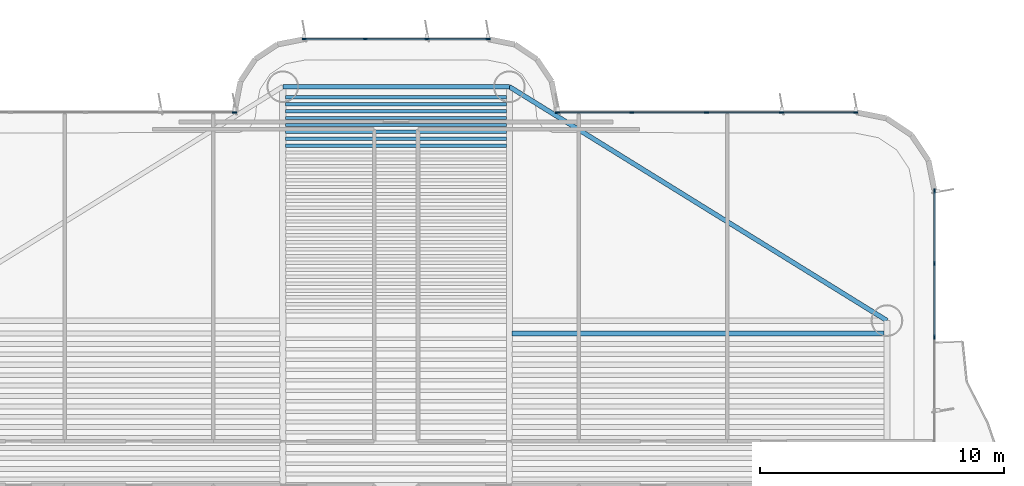
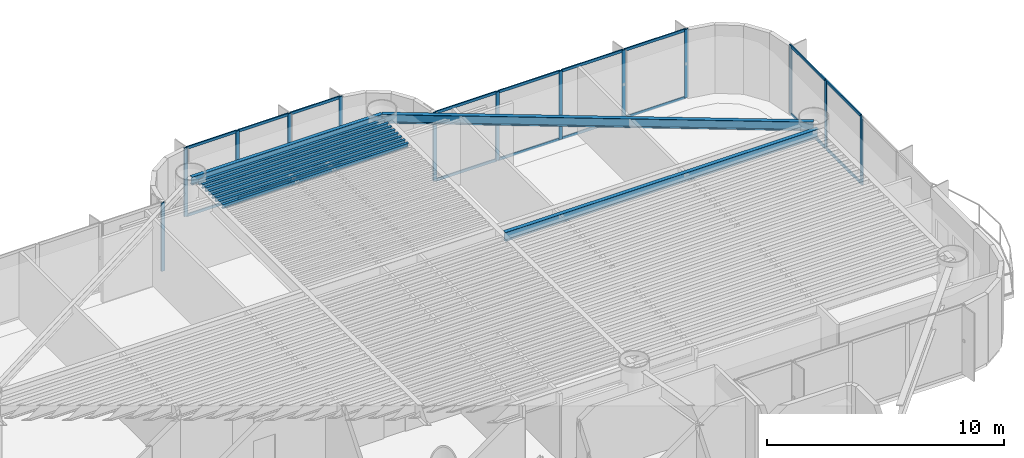
# One storey, part 7 of 16: 31 members, 11 beams, 4 elements without a shape of their own.
"""IFC4 building model written with IfcOpenShell, lengths in metres."""

import ifcopenshell
import ifcopenshell.guid

model = None  # the IFC model being written
_history = None  # IfcOwnerHistory: only IFC2X3 demands one
_inside = {}  # id of a spatial element -> (the spatial element, [elements in it])
_under = {}  # id of a project, library or spatial element -> (it, [spatial elements below it])
_declared = {}  # id of a project -> (the project, [libraries it declares])
_typed = {}  # id of a type object -> (the type object, [elements of that type])
_made_of = {}  # id of a material, layer set ... -> (it, [elements and type objects made of it])


def new_model(schema):
    """Start an empty IFC model of exactly this schema.

    Asked for "IFC4X3", IfcOpenShell would pick the latest addendum, in which some entities
    have other attributes; the version numbers below select the first issue.
    IFC2X3 requires an IfcOwnerHistory on every rooted entity: one is made here for all.
    """
    global model, _history
    if schema == "IFC4X3":
        model = ifcopenshell.file(schema_version=(4, 3, 0, 0))
    else:
        model = ifcopenshell.file(schema=schema)
    _inside.clear()
    _under.clear()
    _declared.clear()
    _typed.clear()
    _made_of.clear()
    _history = None
    if model.schema == "IFC2X3":
        org = make("IfcOrganization", Name="unknown")
        user = make(
            "IfcPersonAndOrganization",
            ThePerson=make("IfcPerson", FamilyName="unknown"),
            TheOrganization=org,
        )
        app = make(
            "IfcApplication",
            ApplicationDeveloper=org,
            Version="unknown",
            ApplicationFullName="unknown",
            ApplicationIdentifier="unknown",
        )
        _history = make(
            "IfcOwnerHistory",
            OwningUser=user,
            OwningApplication=app,
            ChangeAction="ADDED",
            CreationDate=0,
        )
    return model


def make(cls, **values):
    """One entity of the class cls with the attributes given. An attribute that is None is left unset."""
    return model.create_entity(
        cls, **{name: value for name, value in values.items() if value is not None}
    )


def rooted(cls, **values):
    """An entity with a GlobalId (a new one), such as an element, a storey or a relation."""
    return make(cls, GlobalId=ifcopenshell.guid.new(), OwnerHistory=_history, **values)


def si_unit(unit_type, name, prefix=None):
    """IfcSIUnit, for example si_unit("LENGTHUNIT", "METRE", prefix="MILLI")."""
    return make("IfcSIUnit", UnitType=unit_type, Prefix=prefix, Name=name)


def assignment(units):
    """IfcUnitAssignment: the units of a project."""
    return None if units is None else make("IfcUnitAssignment", Units=units)


def point(xyz):
    """IfcCartesianPoint."""
    return None if xyz is None else make("IfcCartesianPoint", Coordinates=xyz)


def direction(xyz):
    """IfcDirection."""
    return None if xyz is None else make("IfcDirection", DirectionRatios=xyz)


def frame(location, z_axis=None, x_axis=None):
    """IfcAxis2Placement3D, a coordinate frame: its origin and axes. An axis left out is left unset."""
    return make(
        "IfcAxis2Placement3D",
        Location=point(location),
        Axis=direction(z_axis),
        RefDirection=direction(x_axis),
    )


def frame_2d(location, x_axis=None):
    """IfcAxis2Placement2D, a coordinate frame in the plane: its origin and x axis."""
    return make(
        "IfcAxis2Placement2D", Location=point(location), RefDirection=direction(x_axis)
    )


def origin():
    """The frame at (0, 0, 0) with its axes left unset."""
    return frame((0.0, 0.0, 0.0))


def origin_2d():
    """The frame at (0, 0) in the plane with its x axis left unset."""
    return frame_2d((0.0, 0.0))


def place(relative_to, where):
    """IfcLocalPlacement: puts the frame where relative to a parent placement (None: the world)."""
    return make(
        "IfcLocalPlacement", PlacementRelTo=relative_to, RelativePlacement=where
    )


def context(
    kind, dimensions, precision=None, world=None, true_north=None, identifier=None
):
    """IfcGeometricRepresentationContext, for example the 3D "Model" context."""
    return make(
        "IfcGeometricRepresentationContext",
        ContextIdentifier=identifier,
        ContextType=kind,
        CoordinateSpaceDimension=dimensions,
        Precision=precision,
        WorldCoordinateSystem=world,
        TrueNorth=true_north,
    )


def subcontext(parent, identifier, kind, view, scale=None):
    """IfcGeometricRepresentationSubContext, for example "Body" below "Model"."""
    return make(
        "IfcGeometricRepresentationSubContext",
        ContextIdentifier=identifier,
        ContextType=kind,
        ParentContext=parent,
        TargetScale=scale,
        TargetView=view,
    )


def project(units=None, contexts=None):
    """IfcProject with its units and contexts."""
    return rooted(
        "IfcProject",
        Name="project",
        RepresentationContexts=contexts,
        UnitsInContext=assignment(units),
    )


def spatial(cls, under=None, at=None, **own):
    """A site, building, storey or space (cls), placed at a placement, below another one or the project."""
    s = rooted(cls, ObjectPlacement=at, **own)
    if under is not None:
        _under.setdefault(under.id(), (under, []))[1].append(s)
    return s


def profile(cls, at=None, kind="AREA", **sizes):
    """A parametric profile (cls). Its sizes go by their IFC names, for example OverallWidth=200.0."""
    return make(cls, ProfileType=kind, Position=at, **sizes)


def rectangle(**sizes):
    """IfcRectangleProfileDef."""
    return profile("IfcRectangleProfileDef", **sizes)


def i_section(**sizes):
    """IfcIShapeProfileDef."""
    return profile("IfcIShapeProfileDef", **sizes)


def extrude(swept, where, along, depth):
    """IfcExtrudedAreaSolid: the profile swept, set in the frame where, extruded along a direction by depth."""
    return make(
        "IfcExtrudedAreaSolid",
        SweptArea=swept,
        Position=where,
        ExtrudedDirection=direction(along),
        Depth=depth,
    )


def shape(context_of_items, identifier, shape_type, items):
    """IfcShapeRepresentation: the items that make up one representation, for example the "Body"."""
    return make(
        "IfcShapeRepresentation",
        ContextOfItems=context_of_items,
        RepresentationIdentifier=identifier,
        RepresentationType=shape_type,
        Items=items,
    )


def source(mapping_origin, context_of_items, identifier, shape_type, items):
    """IfcRepresentationMap: a shape defined once, which mapped items show again and again."""
    return make(
        "IfcRepresentationMap",
        MappingOrigin=mapping_origin,
        MappedRepresentation=shape(context_of_items, identifier, shape_type, items),
    )


def transform(
    local_origin,
    x_axis=None,
    y_axis=None,
    z_axis=None,
    scale=None,
    scale2=None,
    scale3=None,
    uniform=True,
):
    """IfcCartesianTransformationOperator3D, or its non-uniform kind. x_axis, y_axis, z_axis: its Axis1, 2, 3."""
    if uniform:
        return make(
            "IfcCartesianTransformationOperator3D",
            Axis1=direction(x_axis),
            Axis2=direction(y_axis),
            LocalOrigin=point(local_origin),
            Scale=scale,
            Axis3=direction(z_axis),
        )
    return make(
        "IfcCartesianTransformationOperator3DnonUniform",
        Axis1=direction(x_axis),
        Axis2=direction(y_axis),
        LocalOrigin=point(local_origin),
        Scale=scale,
        Axis3=direction(z_axis),
        Scale2=scale2,
        Scale3=scale3,
    )


def mapped(mapping_source, mapping_target):
    """IfcMappedItem: shows the shape of a source again, moved by a transform."""
    return make(
        "IfcMappedItem", MappingSource=mapping_source, MappingTarget=mapping_target
    )


def material(Name=None, Category=None):
    """IfcMaterial."""
    return make("IfcMaterial", Name=Name, Category=Category)


def layer(
    of_material, thickness, ventilated=None, Name=None, Category=None, Priority=None
):
    """IfcMaterialLayer: one layer of a wall or slab, of a material (None: an air gap)."""
    return make(
        "IfcMaterialLayer",
        Material=of_material,
        LayerThickness=thickness,
        IsVentilated=ventilated,
        Name=Name,
        Category=Category,
        Priority=Priority,
    )


def layer_set(layers, Name=None):
    """IfcMaterialLayerSet."""
    return make("IfcMaterialLayerSet", MaterialLayers=layers, LayerSetName=Name)


def material_profile(
    of_material, cross_section, Name=None, Category=None, Priority=None
):
    """IfcMaterialProfile: a cross section and its material."""
    return make(
        "IfcMaterialProfile",
        Name=Name,
        Material=of_material,
        Profile=cross_section,
        Priority=Priority,
        Category=Category,
    )


def profile_set(profiles, Name=None, composite=None):
    """IfcMaterialProfileSet."""
    return make(
        "IfcMaterialProfileSet",
        Name=Name,
        MaterialProfiles=profiles,
        CompositeProfile=composite,
    )


def made_of(thing, what):
    """Note that an element or type object is made of a material, layer set ...; save() writes the relation."""
    if what is not None:
        _made_of.setdefault(what.id(), (what, []))[1].append(thing)
    return thing


def type_object(cls, material=None, **own):
    """A type object (cls), such as IfcWallType, which elements share."""
    return made_of(rooted(cls, **own), material)


def element(
    cls,
    number,
    at=None,
    inside=None,
    cuts=None,
    type_object=None,
    material=None,
    context=None,
    identifier="Body",
    shape_type=None,
    held_by="IfcProductDefinitionShape",
    body=None,
    shapes=None,
    **own,
):
    """One element of the class cls, such as IfcWall. Its Tag is "e" and its number.

    at: its placement. inside: the storey or other place that contains it. cuts: it is an
    opening in that element (IfcRelVoidsElement). A single representation is given by context,
    identifier, shape_type and body (its items); several are given by shapes. held_by: the class
    of the entity that holds the representations. save() writes the other relations.
    """
    e = rooted(cls, Tag="e%d" % number, ObjectPlacement=at, **own)
    if body is not None:
        shapes = [shape(context, identifier, shape_type, body)]
    if shapes is not None:
        e.Representation = make(held_by, Representations=shapes)
    if inside is not None:
        _inside.setdefault(inside.id(), (inside, []))[1].append(e)
    if cuts is not None:
        rooted(
            "IfcRelVoidsElement", RelatingBuildingElement=cuts, RelatedOpeningElement=e
        )
    if type_object is not None:
        _typed.setdefault(type_object.id(), (type_object, []))[1].append(e)
    return made_of(e, material)


def aggregate(whole, parts):
    """IfcRelAggregates: a whole, such as a stair, and the parts it consists of."""
    return rooted("IfcRelAggregates", RelatingObject=whole, RelatedObjects=parts)


def save(model, path):
    """Write the relations noted so far, then the file.

    IfcRelAggregates (storeys below a building ...), IfcRelContainedInSpatialStructure (elements
    in a storey), IfcRelDefinesByType, IfcRelAssociatesMaterial and IfcRelDeclares: one each for
    every whole, place, type object, material and project.
    """
    for whole, parts in _under.values():
        aggregate(whole, parts)
    for where, things in _inside.values():
        rooted(
            "IfcRelContainedInSpatialStructure",
            RelatedElements=things,
            RelatingStructure=where,
        )
    for kind, things in _typed.values():
        rooted("IfcRelDefinesByType", RelatedObjects=things, RelatingType=kind)
    for what, things in _made_of.values():
        rooted("IfcRelAssociatesMaterial", RelatedObjects=things, RelatingMaterial=what)
    for by, libraries in _declared.values():
        rooted("IfcRelDeclares", RelatingContext=by, RelatedDefinitions=libraries)
    model.write(path)


model = new_model("IFC4")

# Units and contexts
model_context = context("Model", 3, precision=1e-05, world=origin(), true_north=direction((0.0, 1.0)))
body_context = subcontext(model_context, "Body", "Model", "MODEL_VIEW")
ifc_project = project(units=[si_unit("LENGTHUNIT", "METRE"), si_unit("AREAUNIT", "SQUARE_METRE"), si_unit("VOLUMEUNIT", "CUBIC_METRE"), si_unit("PLANEANGLEUNIT", "RADIAN"), si_unit("MASSUNIT", "GRAM", prefix="KILO")], contexts=[model_context])

# Site, building, storey
site_placement = place(None, origin())
site = spatial("IfcSite", under=ifc_project, at=site_placement, CompositionType="ELEMENT")
building_placement = place(site_placement, origin())
building = spatial("IfcBuilding", under=site, at=building_placement, Name="Brelvock Crest Care Tower", CompositionType="ELEMENT")
storey_placement = place(building_placement, frame((0.0, 0.0, 116.280029296875)))
storey = spatial("IfcBuildingStorey", under=building, at=storey_placement, Name="L29", CompositionType="ELEMENT", Elevation=116.280029296875)

# Beams
ifc_material_1 = material(Name="Steel Grade 350", Category="steel")
ifc_material_profile_1 = material_profile(ifc_material_1, i_section(OverallWidth=0.177978515625, OverallDepth=0.406005859375, WebThickness=0.0078125, FlangeThickness=0.0126953125, FilletRadius=0.011474609375, at=origin_2d()), Name="410UB59.7")
ifc_profile_set_1 = profile_set([ifc_material_profile_1], Name="Steel Grade 350")
beam_type_1 = type_object("IfcBeamType", Name="BM-SP1", PredefinedType="SPANDREL", material=ifc_profile_set_1)
shared_shape_1 = source(origin(), body_context, "Body", "SweptSolid", [
    extrude(i_section(OverallWidth=0.177978515625, OverallDepth=0.406005859375, WebThickness=0.0078125, FlangeThickness=0.0126953125, FilletRadius=0.011474609375, at=origin_2d()), origin(), (0.0, 0.0, 1.0), 9.2998046875),
])
beam_1_placement = place(storey_placement, frame((31.35009765625, 48.449951171875, 3.326904296875), z_axis=(1.0, 0.0, 0.0), x_axis=(0.0, 1.0, 0.0)))
element("IfcBeam", 1, at=beam_1_placement, inside=storey, type_object=beam_type_1, Name="BM-TWR-L29-08", PredefinedType="SPANDREL", context=body_context, shape_type="MappedRepresentation", body=[
    mapped(shared_shape_1, transform((0.0, 0.0, 0.0), x_axis=(1.0, 0.0, 0.0), y_axis=(0.0, 1.0, 0.0), z_axis=(0.0, 0.0, 1.0), scale=1.0)),
])
ifc_material_profile_2 = material_profile(ifc_material_1, i_section(OverallWidth=0.134033203125, OverallDepth=0.20703125, WebThickness=0.00634765625, FlangeThickness=0.009521484375, FilletRadius=0.0087890625, at=origin_2d()), Name="200UB29.8")
ifc_profile_set_2 = profile_set([ifc_material_profile_2], Name="Steel Grade 350")
beam_type_2 = type_object("IfcBeamType", Name="BM-J4", PredefinedType="JOIST", material=ifc_profile_set_2)
shared_shape_2 = source(origin(), body_context, "Body", "SweptSolid", [
    extrude(i_section(OverallWidth=0.134033203125, OverallDepth=0.20703125, WebThickness=0.00634765625, FlangeThickness=0.009521484375, FilletRadius=0.0087890625, at=origin_2d()), origin(), (0.0, 0.0, 1.0), 9.06982421875),
])
for number, where, z_axis, x_axis, name in (
    (2, (31.465087890625, 46.03076171875, 3.426513671875), (1.0, 0.0, 0.0), (0.0, 1.0, 0.0), "BM-JN-L29-25"),
    (3, (31.465087890625, 46.31396484375, 3.426513671875), (1.0, 0.0, 0.0), (0.0, 1.0, 0.0), "BM-JN-L29-26"),
    (4, (31.465087890625, 46.59716796875, 3.426513671875), (1.0, 0.0, 0.0), (0.0, 1.0, 0.0), "BM-JN-L29-27"),
    (5, (31.465087890625, 46.88037109375, 3.426513671875), (1.0, 0.0, 0.0), (0.0, 1.0, 0.0), "BM-JN-L29-28"),
    (6, (31.465087890625, 47.16357421875, 3.426513671875), (1.0, 0.0, 0.0), (0.0, 1.0, 0.0), "BM-JN-L29-29"),
    (7, (31.465087890625, 47.44677734375, 3.426513671875), (1.0, 0.0, 0.0), (0.0, 1.0, 0.0), "BM-JN-L29-30"),
    (8, (31.465087890625, 47.72998046875, 3.426513671875), (1.0, 0.0, 0.0), (0.0, 1.0, 0.0), "BM-JN-L29-31"),
    (9, (31.465087890625, 48.01318359375, 3.426513671875), (1.0, 0.0, 0.0), (0.0, 1.0, 0.0), "BM-JN-L29-32"),
):
    element("IfcBeam", number, at=place(storey_placement, frame(where, z_axis=z_axis, x_axis=x_axis)), inside=storey, type_object=beam_type_2, Name=name, PredefinedType="JOIST", context=body_context, shape_type="MappedRepresentation", body=[
        mapped(shared_shape_2, transform((0.0, 0.0, 0.0), x_axis=(1.0, 0.0, 0.0), y_axis=(0.0, 1.0, 0.0), z_axis=(0.0, 0.0, 1.0), scale=1.0)),
    ])
ifc_material_profile_3 = material_profile(ifc_material_1, i_section(OverallWidth=0.19091796875, OverallDepth=0.4599609375, WebThickness=0.010009765625, FlangeThickness=0.01611328125, FilletRadius=0.011474609375, at=origin_2d()), Name="460UB82.1")
ifc_profile_set_3 = profile_set([ifc_material_profile_3], Name="Steel Grade 350")
beam_type_3 = type_object("IfcBeamType", Name="BM-G3", PredefinedType="BEAM", material=ifc_profile_set_3)
shared_shape_3 = source(origin(), body_context, "Body", "SweptSolid", [
    extrude(i_section(OverallWidth=0.19091796875, OverallDepth=0.4599609375, WebThickness=0.010009765625, FlangeThickness=0.01611328125, FilletRadius=0.011474609375, at=origin_2d()), origin(), (0.0, 0.0, 1.0), 15.27001953125),
])
beam_2_placement = place(storey_placement, frame((40.764892578125, 38.317626953125, 3.300048828125), z_axis=(1.0, 0.0, 0.0), x_axis=(0.0, 1.0, 0.0)))
element("IfcBeam", 10, at=beam_2_placement, inside=storey, type_object=beam_type_3, Name="BM-JE-L29-26", PredefinedType="BEAM", context=body_context, shape_type="MappedRepresentation", body=[
    mapped(shared_shape_3, transform((0.0, 0.0, 0.0), x_axis=(1.0, 0.0, 0.0), y_axis=(0.0, 1.0, 0.0), z_axis=(0.0, 0.0, 1.0), scale=1.0)),
])
ifc_material_profile_4 = material_profile(ifc_material_1, i_section(OverallWidth=0.19091796875, OverallDepth=0.4599609375, WebThickness=0.010009765625, FlangeThickness=0.01611328125, FilletRadius=0.011474609375, at=origin_2d()), Name="460UB82.1")
ifc_profile_set_4 = profile_set([ifc_material_profile_4], Name="Steel Grade 350")
beam_type_4 = type_object("IfcBeamType", Name="BM-SP2", PredefinedType="SPANDREL", material=ifc_profile_set_4)
shared_shape_4 = source(origin(), body_context, "Body", "SweptSolid", [
    extrude(i_section(OverallWidth=0.19091796875, OverallDepth=0.4599609375, WebThickness=0.010009765625, FlangeThickness=0.01611328125, FilletRadius=0.011474609375, at=origin_2d()), origin(), (0.0, 0.0, 1.0), 18.23193359375),
])
beam_3_placement = place(storey_placement, frame((40.64990234375, 48.449951171875, 3.300048828125), z_axis=(0.85015183248, -0.526537616635, 0.0), x_axis=(0.526537616635, 0.85015183248, 0.0)))
element("IfcBeam", 11, at=beam_3_placement, inside=storey, type_object=beam_type_4, Name="BM-TWR-L29-07", PredefinedType="SPANDREL", context=body_context, shape_type="MappedRepresentation", body=[
    mapped(shared_shape_4, transform((0.0, 0.0, 0.0), x_axis=(1.0, 0.0, 0.0), y_axis=(0.0, 1.0, 0.0), z_axis=(0.0, 0.0, 1.0), scale=1.0)),
])

# Curtain wall, member
ifc_material_2 = material(Name="Dark Glass Double Glazed Low-E", Category="glass")
ifc_layer = layer(ifc_material_2, 0.2099609375, Name="CWS-3")
ifc_layer_set = layer_set([ifc_layer], Name="Dark Glass Double Glazed Low-E")
curtain_wall_type = type_object("IfcCurtainWallType", Name="CWS-3", PredefinedType="NOTDEFINED", material=ifc_layer_set)
curtain_wall_1_placement = place(storey_placement, origin())
curtain_wall_1 = element("IfcCurtainWall", 12, at=curtain_wall_1_placement, inside=storey, type_object=curtain_wall_type, Name="L29 Curtain Wall E22", PredefinedType="NOTDEFINED")
ifc_material_3 = material(Name="Aluminium 6063-T6", Category="aluminium")
ifc_material_profile_5 = material_profile(ifc_material_3, rectangle(XDim=0.06005859375, YDim=0.179931640625, at=origin_2d()), Name="ALU60x180")
ifc_profile_set_5 = profile_set([ifc_material_profile_5], Name="Aluminium 6063-T6")
member_type_1 = type_object("IfcMemberType", Name="CWM-2", PredefinedType="MULLION", material=ifc_profile_set_5)
shared_shape_5 = source(origin(), body_context, "Body", "SweptSolid", [
    extrude(rectangle(XDim=0.06005859375, YDim=0.179931640625, at=origin_2d()), origin(), (0.0, 0.0, 1.0), 3.530029296875),
])
member_1_placement = place(storey_placement, frame((29.3701171875, 47.39990234375, 0.0), z_axis=(0.0, 0.0, 1.0), x_axis=(0.0, 1.0, 0.0)))
member_1 = element("IfcMember", 13, at=member_1_placement, type_object=member_type_1, Name="CW-3 mullion 5", PredefinedType="MULLION", context=body_context, shape_type="MappedRepresentation", body=[
    mapped(shared_shape_5, transform((0.0, 0.0, 0.0), x_axis=(1.0, 0.0, 0.0), y_axis=(0.0, 1.0, 0.0), z_axis=(0.0, 0.0, 1.0), scale=1.0)),
])
aggregate(curtain_wall_1, [member_1])

# Curtain wall, members
curtain_wall_2_placement = place(storey_placement, origin())
curtain_wall_2 = element("IfcCurtainWall", 14, at=curtain_wall_2_placement, inside=storey, type_object=curtain_wall_type, Name="L29 Curtain Wall E28", PredefinedType="NOTDEFINED")
member_2_placement = place(storey_placement, frame((32.22998046875, 50.39990234375, 0.0), z_axis=(0.0, 0.0, 1.0), x_axis=(0.0, 1.0, 0.0)))
member_2 = element("IfcMember", 15, at=member_2_placement, type_object=member_type_1, Name="CW-3 mullion 1", PredefinedType="MULLION", context=body_context, shape_type="MappedRepresentation", body=[
    mapped(shared_shape_5, transform((0.0, 0.0, 0.0), x_axis=(1.0, 0.0, 0.0), y_axis=(0.0, 1.0, 0.0), z_axis=(0.0, 0.0, 1.0), scale=1.0)),
])
member_3_placement = place(storey_placement, frame((34.7333984375, 50.39990234375, 0.0), z_axis=(0.0, 0.0, 1.0), x_axis=(0.0, 1.0, 0.0)))
member_3 = element("IfcMember", 16, at=member_3_placement, type_object=member_type_1, Name="CW-3 mullion 2", PredefinedType="MULLION", context=body_context, shape_type="MappedRepresentation", body=[
    mapped(shared_shape_5, transform((0.0, 0.0, 0.0), x_axis=(1.0, 0.0, 0.0), y_axis=(0.0, 1.0, 0.0), z_axis=(0.0, 0.0, 1.0), scale=1.0)),
])
member_4_placement = place(storey_placement, frame((37.2666015625, 50.39990234375, 0.0), z_axis=(0.0, 0.0, 1.0), x_axis=(0.0, 1.0, 0.0)))
member_4 = element("IfcMember", 17, at=member_4_placement, type_object=member_type_1, Name="CW-3 mullion 3", PredefinedType="MULLION", context=body_context, shape_type="MappedRepresentation", body=[
    mapped(shared_shape_5, transform((0.0, 0.0, 0.0), x_axis=(1.0, 0.0, 0.0), y_axis=(0.0, 1.0, 0.0), z_axis=(0.0, 0.0, 1.0), scale=1.0)),
])
member_5_placement = place(storey_placement, frame((39.77001953125, 50.39990234375, 0.0), z_axis=(0.0, 0.0, 1.0), x_axis=(0.0, 1.0, 0.0)))
member_5 = element("IfcMember", 18, at=member_5_placement, type_object=member_type_1, Name="CW-3 mullion 4", PredefinedType="MULLION", context=body_context, shape_type="MappedRepresentation", body=[
    mapped(shared_shape_5, transform((0.0, 0.0, 0.0), x_axis=(1.0, 0.0, 0.0), y_axis=(0.0, 1.0, 0.0), z_axis=(0.0, 0.0, 1.0), scale=1.0)),
])

curtain_wall_3_placement = place(storey_placement, origin())
curtain_wall_3 = element("IfcCurtainWall", 19, at=curtain_wall_3_placement, inside=storey, type_object=curtain_wall_type, Name="L29 Curtain Wall E34", PredefinedType="NOTDEFINED")
member_6_placement = place(storey_placement, frame((42.6298828125, 47.39990234375, 0.0), z_axis=(0.0, 0.0, 1.0), x_axis=(0.0, 1.0, 0.0)))
member_6 = element("IfcMember", 20, at=member_6_placement, type_object=member_type_1, Name="CW-3 mullion 1", PredefinedType="MULLION", context=body_context, shape_type="MappedRepresentation", body=[
    mapped(shared_shape_5, transform((0.0, 0.0, 0.0), x_axis=(1.0, 0.0, 0.0), y_axis=(0.0, 1.0, 0.0), z_axis=(0.0, 0.0, 1.0), scale=1.0)),
])
member_7_placement = place(storey_placement, frame((45.675048828125, 47.39990234375, 0.0), z_axis=(0.0, 0.0, 1.0), x_axis=(0.0, 1.0, 0.0)))
member_7 = element("IfcMember", 21, at=member_7_placement, type_object=member_type_1, Name="CW-3 mullion 2", PredefinedType="MULLION", context=body_context, shape_type="MappedRepresentation", body=[
    mapped(shared_shape_5, transform((0.0, 0.0, 0.0), x_axis=(1.0, 0.0, 0.0), y_axis=(0.0, 1.0, 0.0), z_axis=(0.0, 0.0, 1.0), scale=1.0)),
])
member_8_placement = place(storey_placement, frame((48.75, 47.39990234375, 0.0), z_axis=(0.0, 0.0, 1.0), x_axis=(0.0, 1.0, 0.0)))
member_8 = element("IfcMember", 22, at=member_8_placement, type_object=member_type_1, Name="CW-3 mullion 3", PredefinedType="MULLION", context=body_context, shape_type="MappedRepresentation", body=[
    mapped(shared_shape_5, transform((0.0, 0.0, 0.0), x_axis=(1.0, 0.0, 0.0), y_axis=(0.0, 1.0, 0.0), z_axis=(0.0, 0.0, 1.0), scale=1.0)),
])
member_9_placement = place(storey_placement, frame((51.824951171875, 47.39990234375, 0.0), z_axis=(0.0, 0.0, 1.0), x_axis=(0.0, 1.0, 0.0)))
member_9 = element("IfcMember", 23, at=member_9_placement, type_object=member_type_1, Name="CW-3 mullion 4", PredefinedType="MULLION", context=body_context, shape_type="MappedRepresentation", body=[
    mapped(shared_shape_5, transform((0.0, 0.0, 0.0), x_axis=(1.0, 0.0, 0.0), y_axis=(0.0, 1.0, 0.0), z_axis=(0.0, 0.0, 1.0), scale=1.0)),
])
member_10_placement = place(storey_placement, frame((54.8701171875, 47.39990234375, 0.0), z_axis=(0.0, 0.0, 1.0), x_axis=(0.0, 1.0, 0.0)))
member_10 = element("IfcMember", 24, at=member_10_placement, type_object=member_type_1, Name="CW-3 mullion 5", PredefinedType="MULLION", context=body_context, shape_type="MappedRepresentation", body=[
    mapped(shared_shape_5, transform((0.0, 0.0, 0.0), x_axis=(1.0, 0.0, 0.0), y_axis=(0.0, 1.0, 0.0), z_axis=(0.0, 0.0, 1.0), scale=1.0)),
])

curtain_wall_4_placement = place(storey_placement, origin())
curtain_wall_4 = element("IfcCurtainWall", 25, at=curtain_wall_4_placement, inside=storey, type_object=curtain_wall_type, Name="L29 Curtain Wall E39A", PredefinedType="NOTDEFINED")
member_11_placement = place(storey_placement, frame((58.10009765625, 44.169921875, 0.0), z_axis=(0.0, 0.0, 1.0), x_axis=(1.0, 0.0, 0.0)))
member_11 = element("IfcMember", 26, at=member_11_placement, type_object=member_type_1, Name="CW-3 mullion 1", PredefinedType="MULLION", context=body_context, shape_type="MappedRepresentation", body=[
    mapped(shared_shape_5, transform((0.0, 0.0, 0.0), x_axis=(1.0, 0.0, 0.0), y_axis=(0.0, 1.0, 0.0), z_axis=(0.0, 0.0, 1.0), scale=1.0)),
])
member_12_placement = place(storey_placement, frame((58.10009765625, 41.1875, 0.0), z_axis=(0.0, 0.0, 1.0), x_axis=(1.0, 0.0, 0.0)))
member_12 = element("IfcMember", 27, at=member_12_placement, type_object=member_type_1, Name="CW-3 mullion 2", PredefinedType="MULLION", context=body_context, shape_type="MappedRepresentation", body=[
    mapped(shared_shape_5, transform((0.0, 0.0, 0.0), x_axis=(1.0, 0.0, 0.0), y_axis=(0.0, 1.0, 0.0), z_axis=(0.0, 0.0, 1.0), scale=1.0)),
])
member_13_placement = place(storey_placement, frame((58.10009765625, 38.175048828125, 0.0), z_axis=(0.0, 0.0, 1.0), x_axis=(1.0, 0.0, 0.0)))
member_13 = element("IfcMember", 28, at=member_13_placement, type_object=member_type_1, Name="CW-3 mullion 3", PredefinedType="MULLION", context=body_context, shape_type="MappedRepresentation", body=[
    mapped(shared_shape_5, transform((0.0, 0.0, 0.0), x_axis=(1.0, 0.0, 0.0), y_axis=(0.0, 1.0, 0.0), z_axis=(0.0, 0.0, 1.0), scale=1.0)),
])
ifc_material_profile_6 = material_profile(ifc_material_3, rectangle(XDim=0.06005859375, YDim=0.139892578125, at=origin_2d()), Name="ALU60x140")
ifc_profile_set_6 = profile_set([ifc_material_profile_6], Name="Aluminium 6063-T6")
member_type_2 = type_object("IfcMemberType", Name="CWT-2", PredefinedType="USERDEFINED", material=ifc_profile_set_6)
shared_shape_6 = source(origin(), body_context, "Body", "SweptSolid", [
    extrude(rectangle(XDim=0.06005859375, YDim=0.139892578125, at=origin_2d()), origin(), (0.0, 0.0, 1.0), 2.952392578125),
])
member_14_placement = place(storey_placement, frame((58.10009765625, 41.157470703125, 0.030029296875), z_axis=(0.0, -1.0, 0.0), x_axis=(1.0, 0.0, 0.0)))
member_14 = element("IfcMember", 29, at=member_14_placement, type_object=member_type_2, Name="CW-3 transom 2.1", ObjectType="TRANSOM", PredefinedType="USERDEFINED", context=body_context, shape_type="MappedRepresentation", body=[
    mapped(shared_shape_6, transform((0.0, 0.0, 0.0), x_axis=(1.0, 0.0, 0.0), y_axis=(0.0, 1.0, 0.0), z_axis=(0.0, 0.0, 1.0), scale=1.0)),
])
member_15_placement = place(storey_placement, frame((58.10009765625, 41.157470703125, 3.5), z_axis=(0.0, -1.0, 0.0), x_axis=(1.0, 0.0, 0.0)))
member_15 = element("IfcMember", 30, at=member_15_placement, type_object=member_type_2, Name="CW-3 transom 2.2", ObjectType="TRANSOM", PredefinedType="USERDEFINED", context=body_context, shape_type="MappedRepresentation", body=[
    mapped(shared_shape_6, transform((0.0, 0.0, 0.0), x_axis=(1.0, 0.0, 0.0), y_axis=(0.0, 1.0, 0.0), z_axis=(0.0, 0.0, 1.0), scale=1.0)),
])
shared_shape_7 = source(origin(), body_context, "Body", "SweptSolid", [
    extrude(rectangle(XDim=0.06005859375, YDim=0.139892578125, at=origin_2d()), origin(), (0.0, 0.0, 1.0), 2.92236328125),
])
member_16_placement = place(storey_placement, frame((58.10009765625, 44.139892578125, 0.030029296875), z_axis=(0.0, -1.0, 0.0), x_axis=(1.0, 0.0, 0.0)))
member_16 = element("IfcMember", 31, at=member_16_placement, type_object=member_type_2, Name="CW-3 transom 1.1", ObjectType="TRANSOM", PredefinedType="USERDEFINED", context=body_context, shape_type="MappedRepresentation", body=[
    mapped(shared_shape_7, transform((0.0, 0.0, 0.0), x_axis=(1.0, 0.0, 0.0), y_axis=(0.0, 1.0, 0.0), z_axis=(0.0, 0.0, 1.0), scale=1.0)),
])
member_17_placement = place(storey_placement, frame((58.10009765625, 44.139892578125, 3.5), z_axis=(0.0, -1.0, 0.0), x_axis=(1.0, 0.0, 0.0)))
member_17 = element("IfcMember", 32, at=member_17_placement, type_object=member_type_2, Name="CW-3 transom 1.2", ObjectType="TRANSOM", PredefinedType="USERDEFINED", context=body_context, shape_type="MappedRepresentation", body=[
    mapped(shared_shape_7, transform((0.0, 0.0, 0.0), x_axis=(1.0, 0.0, 0.0), y_axis=(0.0, 1.0, 0.0), z_axis=(0.0, 0.0, 1.0), scale=1.0)),
])
aggregate(curtain_wall_4, [member_11, member_12, member_13, member_16, member_17, member_14, member_15])

# Member
shared_shape_8 = source(origin(), body_context, "Body", "SweptSolid", [
    extrude(rectangle(XDim=0.06005859375, YDim=0.139892578125, at=origin_2d()), origin(), (0.0, 0.0, 1.0), 2.985107421875),
])
member_18_placement = place(storey_placement, frame((42.659912109375, 47.39990234375, 0.030029296875), z_axis=(1.0, 0.0, 0.0), x_axis=(0.0, 1.0, 0.0)))
member_18 = element("IfcMember", 33, at=member_18_placement, type_object=member_type_2, Name="CW-3 transom 1.1", ObjectType="TRANSOM", PredefinedType="USERDEFINED", context=body_context, shape_type="MappedRepresentation", body=[
    mapped(shared_shape_8, transform((0.0, 0.0, 0.0), x_axis=(1.0, 0.0, 0.0), y_axis=(0.0, 1.0, 0.0), z_axis=(0.0, 0.0, 1.0), scale=1.0)),
])

member_19_placement = place(storey_placement, frame((42.659912109375, 47.39990234375, 3.5), z_axis=(1.0, 0.0, 0.0), x_axis=(0.0, 1.0, 0.0)))
member_19 = element("IfcMember", 34, at=member_19_placement, type_object=member_type_2, Name="CW-3 transom 1.2", ObjectType="TRANSOM", PredefinedType="USERDEFINED", context=body_context, shape_type="MappedRepresentation", body=[
    mapped(shared_shape_8, transform((0.0, 0.0, 0.0), x_axis=(1.0, 0.0, 0.0), y_axis=(0.0, 1.0, 0.0), z_axis=(0.0, 0.0, 1.0), scale=1.0)),
])

member_20_placement = place(storey_placement, frame((51.85498046875, 47.39990234375, 0.030029296875), z_axis=(1.0, 0.0, 0.0), x_axis=(0.0, 1.0, 0.0)))
member_20 = element("IfcMember", 35, at=member_20_placement, type_object=member_type_2, Name="CW-3 transom 4.1", ObjectType="TRANSOM", PredefinedType="USERDEFINED", context=body_context, shape_type="MappedRepresentation", body=[
    mapped(shared_shape_8, transform((0.0, 0.0, 0.0), x_axis=(1.0, 0.0, 0.0), y_axis=(0.0, 1.0, 0.0), z_axis=(0.0, 0.0, 1.0), scale=1.0)),
])

member_21_placement = place(storey_placement, frame((51.85498046875, 47.39990234375, 3.5), z_axis=(1.0, 0.0, 0.0), x_axis=(0.0, 1.0, 0.0)))
member_21 = element("IfcMember", 36, at=member_21_placement, type_object=member_type_2, Name="CW-3 transom 4.2", ObjectType="TRANSOM", PredefinedType="USERDEFINED", context=body_context, shape_type="MappedRepresentation", body=[
    mapped(shared_shape_8, transform((0.0, 0.0, 0.0), x_axis=(1.0, 0.0, 0.0), y_axis=(0.0, 1.0, 0.0), z_axis=(0.0, 0.0, 1.0), scale=1.0)),
])

shared_shape_9 = source(origin(), body_context, "Body", "SweptSolid", [
    extrude(rectangle(XDim=0.06005859375, YDim=0.139892578125, at=origin_2d()), origin(), (0.0, 0.0, 1.0), 3.014892578125),
])
member_22_placement = place(storey_placement, frame((45.705078125, 47.39990234375, 0.030029296875), z_axis=(1.0, 0.0, 0.0), x_axis=(0.0, 1.0, 0.0)))
member_22 = element("IfcMember", 37, at=member_22_placement, type_object=member_type_2, Name="CW-3 transom 2.1", ObjectType="TRANSOM", PredefinedType="USERDEFINED", context=body_context, shape_type="MappedRepresentation", body=[
    mapped(shared_shape_9, transform((0.0, 0.0, 0.0), x_axis=(1.0, 0.0, 0.0), y_axis=(0.0, 1.0, 0.0), z_axis=(0.0, 0.0, 1.0), scale=1.0)),
])

member_23_placement = place(storey_placement, frame((45.705078125, 47.39990234375, 3.5), z_axis=(1.0, 0.0, 0.0), x_axis=(0.0, 1.0, 0.0)))
member_23 = element("IfcMember", 38, at=member_23_placement, type_object=member_type_2, Name="CW-3 transom 2.2", ObjectType="TRANSOM", PredefinedType="USERDEFINED", context=body_context, shape_type="MappedRepresentation", body=[
    mapped(shared_shape_9, transform((0.0, 0.0, 0.0), x_axis=(1.0, 0.0, 0.0), y_axis=(0.0, 1.0, 0.0), z_axis=(0.0, 0.0, 1.0), scale=1.0)),
])

member_24_placement = place(storey_placement, frame((48.780029296875, 47.39990234375, 0.030029296875), z_axis=(1.0, 0.0, 0.0), x_axis=(0.0, 1.0, 0.0)))
member_24 = element("IfcMember", 39, at=member_24_placement, type_object=member_type_2, Name="CW-3 transom 3.1", ObjectType="TRANSOM", PredefinedType="USERDEFINED", context=body_context, shape_type="MappedRepresentation", body=[
    mapped(shared_shape_9, transform((0.0, 0.0, 0.0), x_axis=(1.0, 0.0, 0.0), y_axis=(0.0, 1.0, 0.0), z_axis=(0.0, 0.0, 1.0), scale=1.0)),
])

member_25_placement = place(storey_placement, frame((48.780029296875, 47.39990234375, 3.5), z_axis=(1.0, 0.0, 0.0), x_axis=(0.0, 1.0, 0.0)))
member_25 = element("IfcMember", 40, at=member_25_placement, type_object=member_type_2, Name="CW-3 transom 3.2", ObjectType="TRANSOM", PredefinedType="USERDEFINED", context=body_context, shape_type="MappedRepresentation", body=[
    mapped(shared_shape_9, transform((0.0, 0.0, 0.0), x_axis=(1.0, 0.0, 0.0), y_axis=(0.0, 1.0, 0.0), z_axis=(0.0, 0.0, 1.0), scale=1.0)),
])

aggregate(curtain_wall_3, [member_6, member_7, member_8, member_9, member_10, member_18, member_19, member_22, member_23, member_24, member_25, member_20, member_21])

shared_shape_10 = source(origin(), body_context, "Body", "SweptSolid", [
    extrude(rectangle(XDim=0.06005859375, YDim=0.139892578125, at=origin_2d()), origin(), (0.0, 0.0, 1.0), 2.443359375),
])
member_26_placement = place(storey_placement, frame((32.260009765625, 50.39990234375, 0.030029296875), z_axis=(1.0, 0.0, 0.0), x_axis=(0.0, 1.0, 0.0)))
member_26 = element("IfcMember", 41, at=member_26_placement, type_object=member_type_2, Name="CW-3 transom 1.1", ObjectType="TRANSOM", PredefinedType="USERDEFINED", context=body_context, shape_type="MappedRepresentation", body=[
    mapped(shared_shape_10, transform((0.0, 0.0, 0.0), x_axis=(1.0, 0.0, 0.0), y_axis=(0.0, 1.0, 0.0), z_axis=(0.0, 0.0, 1.0), scale=1.0)),
])

member_27_placement = place(storey_placement, frame((32.260009765625, 50.39990234375, 3.5), z_axis=(1.0, 0.0, 0.0), x_axis=(0.0, 1.0, 0.0)))
member_27 = element("IfcMember", 42, at=member_27_placement, type_object=member_type_2, Name="CW-3 transom 1.2", ObjectType="TRANSOM", PredefinedType="USERDEFINED", context=body_context, shape_type="MappedRepresentation", body=[
    mapped(shared_shape_10, transform((0.0, 0.0, 0.0), x_axis=(1.0, 0.0, 0.0), y_axis=(0.0, 1.0, 0.0), z_axis=(0.0, 0.0, 1.0), scale=1.0)),
])

member_28_placement = place(storey_placement, frame((37.296630859375, 50.39990234375, 0.030029296875), z_axis=(1.0, 0.0, 0.0), x_axis=(0.0, 1.0, 0.0)))
member_28 = element("IfcMember", 43, at=member_28_placement, type_object=member_type_2, Name="CW-3 transom 3.1", ObjectType="TRANSOM", PredefinedType="USERDEFINED", context=body_context, shape_type="MappedRepresentation", body=[
    mapped(shared_shape_10, transform((0.0, 0.0, 0.0), x_axis=(1.0, 0.0, 0.0), y_axis=(0.0, 1.0, 0.0), z_axis=(0.0, 0.0, 1.0), scale=1.0)),
])

member_29_placement = place(storey_placement, frame((37.296630859375, 50.39990234375, 3.5), z_axis=(1.0, 0.0, 0.0), x_axis=(0.0, 1.0, 0.0)))
member_29 = element("IfcMember", 44, at=member_29_placement, type_object=member_type_2, Name="CW-3 transom 3.2", ObjectType="TRANSOM", PredefinedType="USERDEFINED", context=body_context, shape_type="MappedRepresentation", body=[
    mapped(shared_shape_10, transform((0.0, 0.0, 0.0), x_axis=(1.0, 0.0, 0.0), y_axis=(0.0, 1.0, 0.0), z_axis=(0.0, 0.0, 1.0), scale=1.0)),
])

shared_shape_11 = source(origin(), body_context, "Body", "SweptSolid", [
    extrude(rectangle(XDim=0.06005859375, YDim=0.139892578125, at=origin_2d()), origin(), (0.0, 0.0, 1.0), 2.47314453125),
])
member_30_placement = place(storey_placement, frame((34.763427734375, 50.39990234375, 0.030029296875), z_axis=(1.0, 0.0, 0.0), x_axis=(0.0, 1.0, 0.0)))
member_30 = element("IfcMember", 45, at=member_30_placement, type_object=member_type_2, Name="CW-3 transom 2.1", ObjectType="TRANSOM", PredefinedType="USERDEFINED", context=body_context, shape_type="MappedRepresentation", body=[
    mapped(shared_shape_11, transform((0.0, 0.0, 0.0), x_axis=(1.0, 0.0, 0.0), y_axis=(0.0, 1.0, 0.0), z_axis=(0.0, 0.0, 1.0), scale=1.0)),
])

member_31_placement = place(storey_placement, frame((34.763427734375, 50.39990234375, 3.5), z_axis=(1.0, 0.0, 0.0), x_axis=(0.0, 1.0, 0.0)))
member_31 = element("IfcMember", 46, at=member_31_placement, type_object=member_type_2, Name="CW-3 transom 2.2", ObjectType="TRANSOM", PredefinedType="USERDEFINED", context=body_context, shape_type="MappedRepresentation", body=[
    mapped(shared_shape_11, transform((0.0, 0.0, 0.0), x_axis=(1.0, 0.0, 0.0), y_axis=(0.0, 1.0, 0.0), z_axis=(0.0, 0.0, 1.0), scale=1.0)),
])

aggregate(curtain_wall_2, [member_2, member_3, member_4, member_5, member_26, member_27, member_30, member_31, member_28, member_29])

save(model, "model.ifc")
